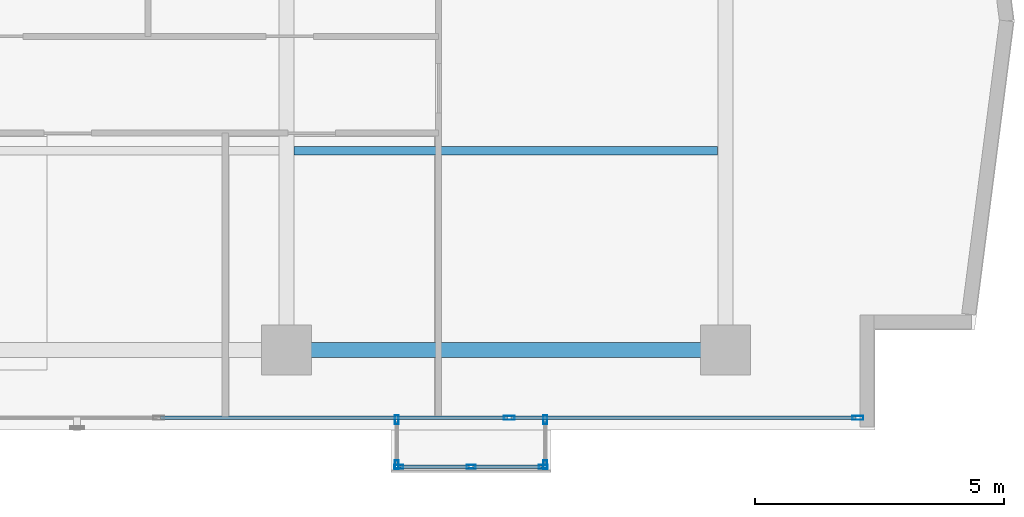
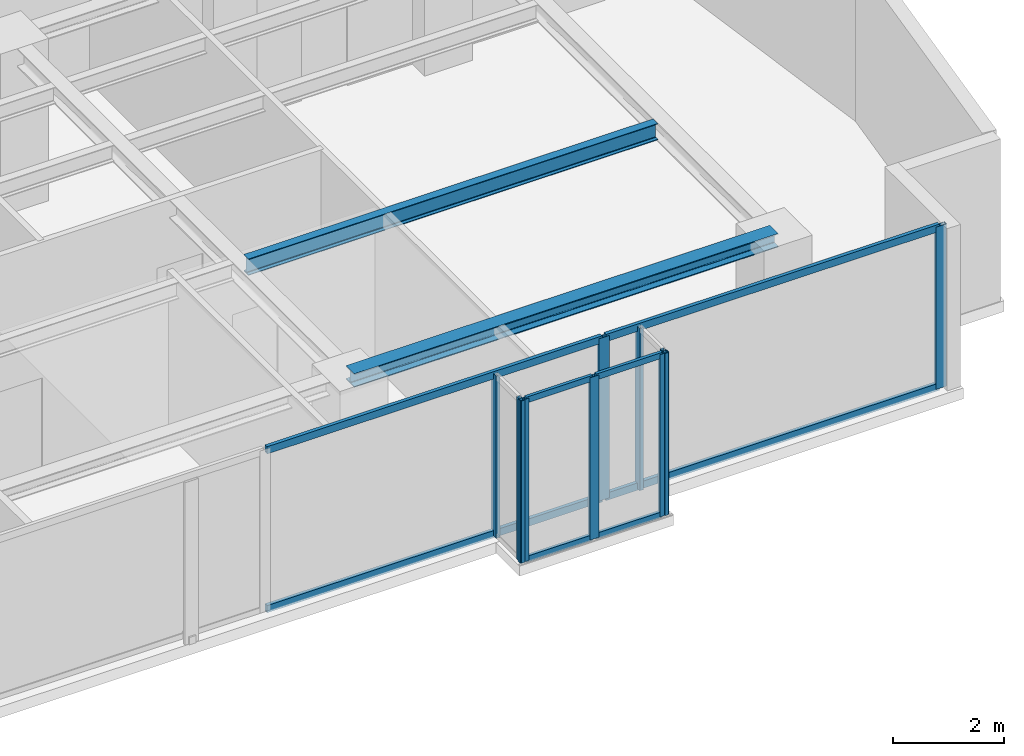
# One storey, part 10 of 23: 17 members, 2 beams, 4 elements without a shape of their own.
"""IFC4 building model written with IfcOpenShell, lengths in metres."""

from ifc_helpers import new_model, si_unit, direction, frame, origin, origin_with_axes, origin_2d, place, context, subcontext, project, spatial, hollow_rectangle, i_section, extrude, source, transform, mapped, material, layer, layer_set, material_profile, profile_set, type_object, element, aggregate, save


model = new_model("IFC4")

# Units and contexts
model_context = context("Model", 3, precision=1e-05, world=origin(), true_north=direction((0.0, 1.0)))
body_context = subcontext(model_context, "Body", "Model", "MODEL_VIEW")
ifc_project = project(units=[si_unit("LENGTHUNIT", "METRE"), si_unit("AREAUNIT", "SQUARE_METRE"), si_unit("VOLUMEUNIT", "CUBIC_METRE"), si_unit("PLANEANGLEUNIT", "RADIAN"), si_unit("MASSUNIT", "GRAM", prefix="KILO")], contexts=[model_context])

# Site, building, storey
site_placement = place(None, origin())
site = spatial("IfcSite", under=ifc_project, at=site_placement, CompositionType="ELEMENT")
building_placement = place(site_placement, origin())
building = spatial("IfcBuilding", under=site, at=building_placement, Name="Kolvaren Waterfront Exchange", CompositionType="ELEMENT")
storey_placement = place(building_placement, frame((0.0, 0.0, 227.300048828125)))
storey = spatial("IfcBuildingStorey", under=building, at=storey_placement, Name="L58", CompositionType="ELEMENT", Elevation=227.300048828125)

# Beams
ifc_material_1 = material(Name="Steel S355", Category="steel")
ifc_material_profile_1 = material_profile(ifc_material_1, i_section(OverallWidth=0.300048828125, OverallDepth=0.300048828125, WebThickness=0.010986328125, FlangeThickness=0.01904296875, FilletRadius=0.027099609375, at=origin_2d()), Name="HEB300")
ifc_profile_set_1 = profile_set([ifc_material_profile_1], Name="Steel S355")
beam_type_1 = type_object("IfcBeamType", Name="STR-BM-HEB300", PredefinedType="SPANDREL", material=ifc_profile_set_1)
beam_1_placement = place(storey_placement, frame((36.800048828125, 5.199951171875, 3.409912109375), z_axis=(1.0, 0.0, 0.0), x_axis=(0.0, 1.0, 0.0)))
element("IfcBeam", 1, at=beam_1_placement, inside=storey, type_object=beam_type_1, Name="L58 east-arm spandrel S3", PredefinedType="SPANDREL", context=body_context, shape_type="SweptSolid", body=[
    extrude(i_section(OverallWidth=0.300048828125, OverallDepth=0.300048828125, WebThickness=0.010986328125, FlangeThickness=0.01904296875, FilletRadius=0.027099609375, at=origin_2d()), origin(), (0.0, 0.0, 1.0), 8.800048828125),
])
ifc_material_profile_2 = material_profile(ifc_material_1, i_section(OverallWidth=0.169921875, OverallDepth=0.360107421875, WebThickness=0.008056640625, FlangeThickness=0.0126953125, FilletRadius=0.01806640625, at=origin_2d()), Name="IPE360")
ifc_profile_set_2 = profile_set([ifc_material_profile_2], Name="Steel S355")
beam_type_2 = type_object("IfcBeamType", Name="STR-BM-IPE360", PredefinedType="JOIST", material=ifc_profile_set_2)
beam_2_placement = place(storey_placement, frame((36.951904296875, 9.199951171875, 3.3798828125), z_axis=(1.0, 0.0, 0.0), x_axis=(0.0, 1.0, 0.0)))
element("IfcBeam", 2, at=beam_2_placement, inside=storey, type_object=beam_type_2, Name="L58 east-arm composite joist 3B", PredefinedType="JOIST", context=body_context, shape_type="SweptSolid", body=[
    extrude(i_section(OverallWidth=0.169921875, OverallDepth=0.360107421875, WebThickness=0.008056640625, FlangeThickness=0.0126953125, FilletRadius=0.01806640625, at=origin_2d()), origin(), (0.0, 0.0, 1.0), 8.49609375),
])

# Curtain wall, members
ifc_material_2 = material(Name="Anodised bronze aluminium 6063-T6", Category="aluminium")
ifc_layer_1 = layer(ifc_material_2, 0.219970703125, Name="Anodised bronze aluminium 6063-T6")
ifc_layer_set_1 = layer_set([ifc_layer_1], Name="Anodised bronze aluminium 6063-T6")
curtain_wall_type_1 = type_object("IfcCurtainWallType", Name="ARC-CW-SYS3", PredefinedType="USERDEFINED", material=ifc_layer_set_1)
curtain_wall_1_placement = place(storey_placement, origin())
curtain_wall_1 = element("IfcCurtainWall", 3, at=curtain_wall_1_placement, inside=storey, type_object=curtain_wall_type_1, Name="L58 stick curtain wall CW3 (CW-L58-BOX)", ObjectType="STICK CURTAIN WALL", PredefinedType="USERDEFINED")
ifc_material_profile_3 = material_profile(ifc_material_2, hollow_rectangle(XDim=0.06494140625, YDim=0.1298828125, WallThickness=0.00390625, at=origin_2d()), Name="ALU-TRN-130x65x4")
ifc_profile_set_3 = profile_set([ifc_material_profile_3], Name="Anodised bronze aluminium 6063-T6")
member_type_1 = type_object("IfcMemberType", Name="ARC-CWT-130", PredefinedType="USERDEFINED", material=ifc_profile_set_3)
shared_shape_1 = source(origin_with_axes(), body_context, "Body", "SweptSolid", [
    extrude(hollow_rectangle(XDim=0.06494140625, YDim=0.1298828125, WallThickness=0.00390625, at=origin_2d()), origin(), (0.0, 0.0, 1.0), 1.37744140625),
])
member_1_placement = place(storey_placement, frame((39.0849609375, 2.860107421875, 0.032470703125), z_axis=(1.0, 0.0, 0.0), x_axis=(0.0, 1.0, 0.0)))
member_1 = element("IfcMember", 4, at=member_1_placement, type_object=member_type_1, Name="CW3 transom 1.1", ObjectType="TRANSOM", PredefinedType="USERDEFINED", context=body_context, shape_type="MappedRepresentation", body=[
    mapped(shared_shape_1, transform((0.0, 0.0, 0.0), x_axis=(1.0, 0.0, 0.0), y_axis=(0.0, 1.0, 0.0), z_axis=(0.0, 0.0, 1.0), scale=1.0)),
])
member_2_placement = place(storey_placement, frame((39.0849609375, 2.860107421875, 3.52734375), z_axis=(1.0, 0.0, 0.0), x_axis=(0.0, 1.0, 0.0)))
member_2 = element("IfcMember", 5, at=member_2_placement, type_object=member_type_1, Name="CW3 transom 1.2", ObjectType="TRANSOM", PredefinedType="USERDEFINED", context=body_context, shape_type="MappedRepresentation", body=[
    mapped(shared_shape_1, transform((0.0, 0.0, 0.0), x_axis=(1.0, 0.0, 0.0), y_axis=(0.0, 1.0, 0.0), z_axis=(0.0, 0.0, 1.0), scale=1.0)),
])
member_3_placement = place(storey_placement, frame((40.53759765625, 2.860107421875, 0.032470703125), z_axis=(1.0, 0.0, 0.0), x_axis=(0.0, 1.0, 0.0)))
member_3 = element("IfcMember", 6, at=member_3_placement, type_object=member_type_1, Name="CW3 transom 2.1", ObjectType="TRANSOM", PredefinedType="USERDEFINED", context=body_context, shape_type="MappedRepresentation", body=[
    mapped(shared_shape_1, transform((0.0, 0.0, 0.0), x_axis=(1.0, 0.0, 0.0), y_axis=(0.0, 1.0, 0.0), z_axis=(0.0, 0.0, 1.0), scale=1.0)),
])
member_4_placement = place(storey_placement, frame((40.53759765625, 2.860107421875, 3.52734375), z_axis=(1.0, 0.0, 0.0), x_axis=(0.0, 1.0, 0.0)))
member_4 = element("IfcMember", 7, at=member_4_placement, type_object=member_type_1, Name="CW3 transom 2.2", ObjectType="TRANSOM", PredefinedType="USERDEFINED", context=body_context, shape_type="MappedRepresentation", body=[
    mapped(shared_shape_1, transform((0.0, 0.0, 0.0), x_axis=(1.0, 0.0, 0.0), y_axis=(0.0, 1.0, 0.0), z_axis=(0.0, 0.0, 1.0), scale=1.0)),
])

curtain_wall_2_placement = place(storey_placement, origin())
curtain_wall_2 = element("IfcCurtainWall", 8, at=curtain_wall_2_placement, inside=storey, type_object=curtain_wall_type_1, Name="L58 stick curtain wall CW3 (CW-L58-BOX-W)", ObjectType="STICK CURTAIN WALL", PredefinedType="USERDEFINED")
ifc_material_profile_4 = material_profile(ifc_material_2, hollow_rectangle(XDim=0.074951171875, YDim=0.179931640625, WallThickness=0.00439453125, at=origin_2d()), Name="ALU-MUL-180x75x4.5")
ifc_profile_set_4 = profile_set([ifc_material_profile_4], Name="Anodised bronze aluminium 6063-T6")
member_type_2 = type_object("IfcMemberType", Name="ARC-CWM-180", PredefinedType="MULLION", material=ifc_profile_set_4)
shared_shape_2 = source(origin_with_axes(), body_context, "Body", "SweptSolid", [
    extrude(hollow_rectangle(XDim=0.074951171875, YDim=0.179931640625, WallThickness=0.00439453125, at=origin_2d()), origin(), (0.0, 0.0, 1.0), 3.56005859375),
])
member_5_placement = place(storey_placement, frame((39.010009765625, 3.802490234375, 0.0), z_axis=(0.0, 0.0, 1.0), x_axis=(1.0, 0.0, 0.0)))
member_5 = element("IfcMember", 9, at=member_5_placement, type_object=member_type_2, Name="CW3 mullion 1", PredefinedType="MULLION", context=body_context, shape_type="MappedRepresentation", body=[
    mapped(shared_shape_2, transform((0.0, 0.0, 0.0), x_axis=(1.0, 0.0, 0.0), y_axis=(0.0, 1.0, 0.0), z_axis=(0.0, 0.0, 1.0), scale=1.0)),
])
member_6_placement = place(storey_placement, frame((39.010009765625, 2.8974609375, 0.0), z_axis=(0.0, 0.0, 1.0), x_axis=(1.0, 0.0, 0.0)))
member_6 = element("IfcMember", 10, at=member_6_placement, type_object=member_type_2, Name="CW3 mullion 2", PredefinedType="MULLION", context=body_context, shape_type="MappedRepresentation", body=[
    mapped(shared_shape_2, transform((0.0, 0.0, 0.0), x_axis=(1.0, 0.0, 0.0), y_axis=(0.0, 1.0, 0.0), z_axis=(0.0, 0.0, 1.0), scale=1.0)),
])
aggregate(curtain_wall_2, [member_5, member_6])

# Member
member_7_placement = place(storey_placement, frame((39.047607421875, 2.860107421875, 0.0), z_axis=(0.0, 0.0, 1.0), x_axis=(0.0, 1.0, 0.0)))
member_7 = element("IfcMember", 11, at=member_7_placement, type_object=member_type_2, Name="CW3 mullion 1", PredefinedType="MULLION", context=body_context, shape_type="MappedRepresentation", body=[
    mapped(shared_shape_2, transform((0.0, 0.0, 0.0), x_axis=(1.0, 0.0, 0.0), y_axis=(0.0, 1.0, 0.0), z_axis=(0.0, 0.0, 1.0), scale=1.0)),
])

member_8_placement = place(storey_placement, frame((40.5, 2.860107421875, 0.0), z_axis=(0.0, 0.0, 1.0), x_axis=(0.0, 1.0, 0.0)))
member_8 = element("IfcMember", 12, at=member_8_placement, type_object=member_type_2, Name="CW3 mullion 2", PredefinedType="MULLION", context=body_context, shape_type="MappedRepresentation", body=[
    mapped(shared_shape_2, transform((0.0, 0.0, 0.0), x_axis=(1.0, 0.0, 0.0), y_axis=(0.0, 1.0, 0.0), z_axis=(0.0, 0.0, 1.0), scale=1.0)),
])

member_9_placement = place(storey_placement, frame((41.952392578125, 2.860107421875, 0.0), z_axis=(0.0, 0.0, 1.0), x_axis=(0.0, 1.0, 0.0)))
member_9 = element("IfcMember", 13, at=member_9_placement, type_object=member_type_2, Name="CW3 mullion 3", PredefinedType="MULLION", context=body_context, shape_type="MappedRepresentation", body=[
    mapped(shared_shape_2, transform((0.0, 0.0, 0.0), x_axis=(1.0, 0.0, 0.0), y_axis=(0.0, 1.0, 0.0), z_axis=(0.0, 0.0, 1.0), scale=1.0)),
])

aggregate(curtain_wall_1, [member_7, member_8, member_9, member_1, member_2, member_3, member_4])

# Curtain wall, members
curtain_wall_3_placement = place(storey_placement, origin())
curtain_wall_3 = element("IfcCurtainWall", 14, at=curtain_wall_3_placement, inside=storey, type_object=curtain_wall_type_1, Name="L58 stick curtain wall CW3 (CW-L58-BOX-E)", ObjectType="STICK CURTAIN WALL", PredefinedType="USERDEFINED")
member_10_placement = place(storey_placement, frame((41.989990234375, 2.8974609375, 0.0), z_axis=(0.0, 0.0, 1.0), x_axis=(-1.0, 0.0, 0.0)))
member_10 = element("IfcMember", 15, at=member_10_placement, type_object=member_type_2, Name="CW3 mullion 1", PredefinedType="MULLION", context=body_context, shape_type="MappedRepresentation", body=[
    mapped(shared_shape_2, transform((0.0, 0.0, 0.0), x_axis=(1.0, 0.0, 0.0), y_axis=(0.0, 1.0, 0.0), z_axis=(0.0, 0.0, 1.0), scale=1.0)),
])
member_11_placement = place(storey_placement, frame((41.989990234375, 3.802490234375, 0.0), z_axis=(0.0, 0.0, 1.0), x_axis=(-1.0, 0.0, 0.0)))
member_11 = element("IfcMember", 16, at=member_11_placement, type_object=member_type_2, Name="CW3 mullion 2", PredefinedType="MULLION", context=body_context, shape_type="MappedRepresentation", body=[
    mapped(shared_shape_2, transform((0.0, 0.0, 0.0), x_axis=(1.0, 0.0, 0.0), y_axis=(0.0, 1.0, 0.0), z_axis=(0.0, 0.0, 1.0), scale=1.0)),
])
aggregate(curtain_wall_3, [member_10, member_11])

ifc_layer_2 = layer(ifc_material_2, 0.219970703125, Name="Anodised bronze aluminium 6063-T6")
ifc_layer_set_2 = layer_set([ifc_layer_2], Name="Anodised bronze aluminium 6063-T6")
curtain_wall_type_2 = type_object("IfcCurtainWallType", Name="ARC-CW-SYS1", PredefinedType="USERDEFINED", material=ifc_layer_set_2)
curtain_wall_4_placement = place(storey_placement, origin())
curtain_wall_4 = element("IfcCurtainWall", 17, at=curtain_wall_4_placement, inside=storey, type_object=curtain_wall_type_2, Name="L58 stick curtain wall CW1 (CW-L58-S)", ObjectType="STICK CURTAIN WALL", PredefinedType="USERDEFINED")
ifc_material_3 = material(Name="Anodised aluminium 6063-T6", Category="aluminium")
ifc_material_profile_5 = material_profile(ifc_material_3, hollow_rectangle(XDim=0.080078125, YDim=0.219970703125, WallThickness=0.0048828125, at=origin_2d()), Name="ALU-MUL-220x80x5")
ifc_profile_set_5 = profile_set([ifc_material_profile_5], Name="Anodised aluminium 6063-T6")
member_type_3 = type_object("IfcMemberType", Name="ARC-CWM-220", PredefinedType="MULLION", material=ifc_profile_set_5)
shared_shape_3 = source(origin_with_axes(), body_context, "Body", "SweptSolid", [
    extrude(hollow_rectangle(XDim=0.080078125, YDim=0.219970703125, WallThickness=0.0048828125, at=origin_2d()), origin(), (0.0, 0.0, 1.0), 3.56005859375),
])
member_12_placement = place(storey_placement, frame((41.2666015625, 3.840087890625, 0.0), z_axis=(0.0, 0.0, 1.0), x_axis=(0.0, 1.0, 0.0)))
member_12 = element("IfcMember", 18, at=member_12_placement, type_object=member_type_3, Name="CW1 mullion 6", PredefinedType="MULLION", context=body_context, shape_type="MappedRepresentation", body=[
    mapped(shared_shape_3, transform((0.0, 0.0, 0.0), x_axis=(1.0, 0.0, 0.0), y_axis=(0.0, 1.0, 0.0), z_axis=(0.0, 0.0, 1.0), scale=1.0)),
])
member_13_placement = place(storey_placement, frame((48.260009765625, 3.840087890625, 0.0), z_axis=(0.0, 0.0, 1.0), x_axis=(0.0, 1.0, 0.0)))
member_13 = element("IfcMember", 19, at=member_13_placement, type_object=member_type_3, Name="CW1 mullion 7", PredefinedType="MULLION", context=body_context, shape_type="MappedRepresentation", body=[
    mapped(shared_shape_3, transform((0.0, 0.0, 0.0), x_axis=(1.0, 0.0, 0.0), y_axis=(0.0, 1.0, 0.0), z_axis=(0.0, 0.0, 1.0), scale=1.0)),
])
ifc_material_profile_6 = material_profile(ifc_material_3, hollow_rectangle(XDim=0.074951171875, YDim=0.159912109375, WallThickness=0.00439453125, at=origin_2d()), Name="ALU-TRN-160x75x4.5")
ifc_profile_set_6 = profile_set([ifc_material_profile_6], Name="Anodised aluminium 6063-T6")
member_type_4 = type_object("IfcMemberType", Name="ARC-CWT-160", PredefinedType="USERDEFINED", material=ifc_profile_set_6)
shared_shape_4 = source(origin_with_axes(), body_context, "Body", "SweptSolid", [
    extrude(hollow_rectangle(XDim=0.074951171875, YDim=0.159912109375, WallThickness=0.00439453125, at=origin_2d()), origin(), (0.0, 0.0, 1.0), 6.913330078125),
])
member_14_placement = place(storey_placement, frame((41.306640625, 3.840087890625, 0.037353515625), z_axis=(1.0, 0.0, 0.0), x_axis=(0.0, 1.0, 0.0)))
member_14 = element("IfcMember", 20, at=member_14_placement, type_object=member_type_4, Name="CW1 transom 6.1", ObjectType="TRANSOM", PredefinedType="USERDEFINED", context=body_context, shape_type="MappedRepresentation", body=[
    mapped(shared_shape_4, transform((0.0, 0.0, 0.0), x_axis=(1.0, 0.0, 0.0), y_axis=(0.0, 1.0, 0.0), z_axis=(0.0, 0.0, 1.0), scale=1.0)),
])
member_15_placement = place(storey_placement, frame((41.306640625, 3.840087890625, 3.5224609375), z_axis=(1.0, 0.0, 0.0), x_axis=(0.0, 1.0, 0.0)))
member_15 = element("IfcMember", 21, at=member_15_placement, type_object=member_type_4, Name="CW1 transom 6.2", ObjectType="TRANSOM", PredefinedType="USERDEFINED", context=body_context, shape_type="MappedRepresentation", body=[
    mapped(shared_shape_4, transform((0.0, 0.0, 0.0), x_axis=(1.0, 0.0, 0.0), y_axis=(0.0, 1.0, 0.0), z_axis=(0.0, 0.0, 1.0), scale=1.0)),
])
shared_shape_5 = source(origin_with_axes(), body_context, "Body", "SweptSolid", [
    extrude(hollow_rectangle(XDim=0.074951171875, YDim=0.159912109375, WallThickness=0.00439453125, at=origin_2d()), origin(), (0.0, 0.0, 1.0), 6.953125),
])
member_16_placement = place(storey_placement, frame((34.2734375, 3.840087890625, 0.037353515625), z_axis=(1.0, 0.0, 0.0), x_axis=(0.0, 1.0, 0.0)))
member_16 = element("IfcMember", 22, at=member_16_placement, type_object=member_type_4, Name="CW1 transom 5.1", ObjectType="TRANSOM", PredefinedType="USERDEFINED", context=body_context, shape_type="MappedRepresentation", body=[
    mapped(shared_shape_5, transform((0.0, 0.0, 0.0), x_axis=(1.0, 0.0, 0.0), y_axis=(0.0, 1.0, 0.0), z_axis=(0.0, 0.0, 1.0), scale=1.0)),
])
member_17_placement = place(storey_placement, frame((34.2734375, 3.840087890625, 3.5224609375), z_axis=(1.0, 0.0, 0.0), x_axis=(0.0, 1.0, 0.0)))
member_17 = element("IfcMember", 23, at=member_17_placement, type_object=member_type_4, Name="CW1 transom 5.2", ObjectType="TRANSOM", PredefinedType="USERDEFINED", context=body_context, shape_type="MappedRepresentation", body=[
    mapped(shared_shape_5, transform((0.0, 0.0, 0.0), x_axis=(1.0, 0.0, 0.0), y_axis=(0.0, 1.0, 0.0), z_axis=(0.0, 0.0, 1.0), scale=1.0)),
])
aggregate(curtain_wall_4, [member_12, member_13, member_16, member_17, member_14, member_15])

save(model, "model.ifc")
